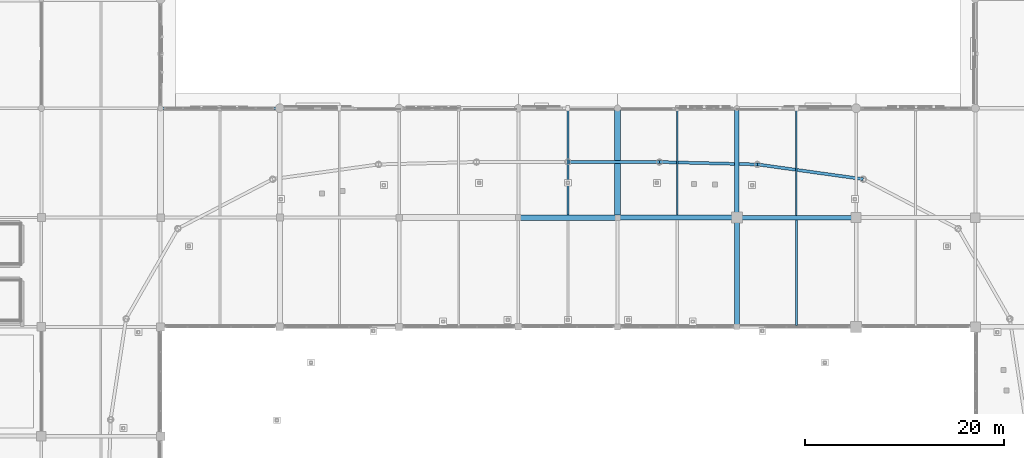
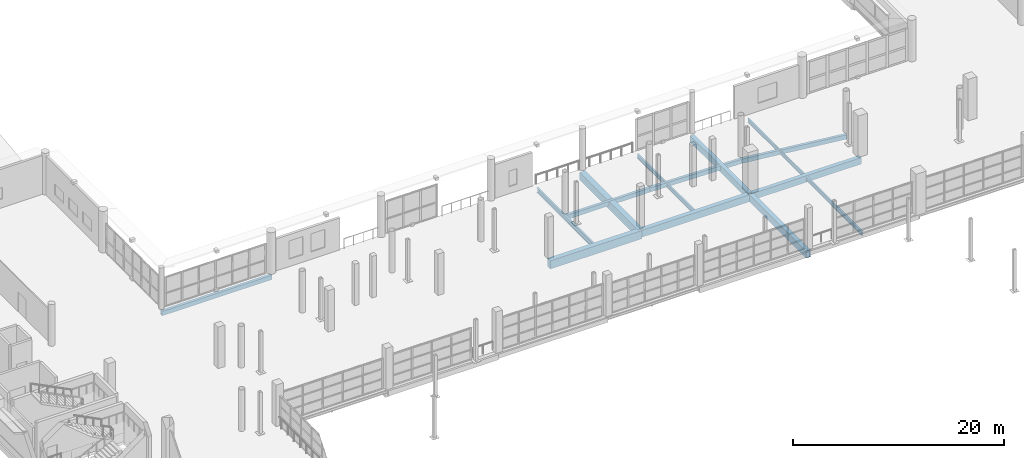
# One storey, part 51 of 143: 14 beams.
"""IFC4 building model written with IfcOpenShell, lengths in metres."""

from ifc_helpers import new_model, si_unit, direction, frame, origin, origin_2d, place, context, subcontext, project, spatial, rectangle, hollow_rectangle, i_section, extrude, material, material_profile, profile_set, type_object, element, save


model = new_model("IFC4")

# Units and contexts
model_context = context("Model", 3, precision=1e-05, world=origin(), true_north=direction((0.0, 1.0)))
body_context = subcontext(model_context, "Body", "Model", "MODEL_VIEW")
ifc_project = project(units=[si_unit("LENGTHUNIT", "METRE"), si_unit("AREAUNIT", "SQUARE_METRE"), si_unit("VOLUMEUNIT", "CUBIC_METRE"), si_unit("PLANEANGLEUNIT", "RADIAN"), si_unit("MASSUNIT", "GRAM", prefix="KILO")], contexts=[model_context])

# Site, building, storey
site_placement = place(None, origin())
site = spatial("IfcSite", under=ifc_project, at=site_placement, CompositionType="ELEMENT")
building_placement = place(site_placement, origin())
building = spatial("IfcBuilding", under=site, at=building_placement, Name="Luwafu Chhajja Arena", CompositionType="ELEMENT")
storey_placement = place(building_placement, frame((0.0, 0.0, 5.39990234375)))
storey = spatial("IfcBuildingStorey", under=building, at=storey_placement, Name="L01", CompositionType="ELEMENT", Elevation=5.39990234375)

# Beams
ifc_material_1 = material(Name="Concrete C35/45", Category="concrete")
ifc_material_profile_1 = material_profile(ifc_material_1, rectangle(XDim=0.60009765625, YDim=0.89990234375, at=origin_2d()), Name="RC 600x900")
ifc_profile_set_1 = profile_set([ifc_material_profile_1], Name="Concrete C35/45")
beam_type_1 = type_object("IfcBeamType", Name="Concourse Primary Girder RC 600x900", PredefinedType="BEAM", material=ifc_profile_set_1)
beam_1_placement = place(storey_placement, frame((104.0, 88.0, -0.77978515625), z_axis=(0.0, 1.0, 0.0), x_axis=(-1.0, 0.0, 0.0)))
element("IfcBeam", 1, at=beam_1_placement, inside=storey, type_object=beam_type_1, Name="L01 Grid Beam 10/J-K", PredefinedType="BEAM", context=body_context, shape_type="SweptSolid", body=[
    extrude(rectangle(XDim=0.60009765625, YDim=0.89990234375, at=origin_2d()), origin(), (0.0, 0.0, 1.0), 11.0),
])
ifc_material_profile_2 = material_profile(ifc_material_1, rectangle(XDim=0.550048828125, YDim=0.949951171875, at=origin_2d()), Name="RC 550x950")
ifc_profile_set_2 = profile_set([ifc_material_profile_2], Name="Concrete C35/45")
beam_type_2 = type_object("IfcBeamType", Name="Concourse Radial Girder RC 550x950", PredefinedType="BEAM", material=ifc_profile_set_2)
beam_2_placement = place(storey_placement, frame((94.0, 88.0, -0.804931640625), z_axis=(1.0, 0.0, 0.0), x_axis=(0.0, 1.0, 0.0)))
element("IfcBeam", 2, at=beam_2_placement, inside=storey, type_object=beam_type_2, Name="L01 Grid Beam 9-10/J", PredefinedType="BEAM", context=body_context, shape_type="SweptSolid", body=[
    extrude(rectangle(XDim=0.550048828125, YDim=0.949951171875, at=origin_2d()), origin(), (0.0, 0.0, 1.0), 10.0),
])
ifc_material_2 = material(Name="Steel S355", Category="steel")
ifc_material_profile_3 = material_profile(ifc_material_2, i_section(OverallWidth=0.15283203125, OverallDepth=0.45458984375, WebThickness=0.008056640625, FlangeThickness=0.01318359375, at=origin_2d()), Name="UB 457x152x60")
ifc_profile_set_3 = profile_set([ifc_material_profile_3], Name="Steel S355")
beam_type_3 = type_object("IfcBeamType", Name="Floor Joist UB 457x152x60", PredefinedType="JOIST", material=ifc_profile_set_3)
beam_3_placement = place(storey_placement, frame((122.0, 88.22509765625, -0.55712890625), z_axis=(0.0, 1.0, 0.0), x_axis=(-1.0, 0.0, 0.0)))
element("IfcBeam", 3, at=beam_3_placement, inside=storey, type_object=beam_type_3, Name="L01 Secondary Joist 11-12/J", PredefinedType="JOIST", context=body_context, shape_type="SweptSolid", body=[
    extrude(i_section(OverallWidth=0.15283203125, OverallDepth=0.45458984375, WebThickness=0.008056640625, FlangeThickness=0.01318359375, at=origin_2d()), origin(), (0.0, 0.0, 1.0), 10.574951171875),
])
ifc_material_profile_4 = material_profile(ifc_material_2, i_section(OverallWidth=0.19140625, OverallDepth=0.4599609375, WebThickness=0.010009765625, FlangeThickness=0.01611328125, at=origin_2d()), Name="UB 457x191x82")
ifc_profile_set_4 = profile_set([ifc_material_profile_4], Name="Steel S355")
beam_type_4 = type_object("IfcBeamType", Name="Floor Joist UB 457x191x82", PredefinedType="JOIST", material=ifc_profile_set_4)
beam_4_placement = place(storey_placement, frame((110.0, 88.25, -0.559814453125), z_axis=(0.0, 1.0, 0.0), x_axis=(-1.0, 0.0, 0.0)))
element("IfcBeam", 4, at=beam_4_placement, inside=storey, type_object=beam_type_4, Name="L01 Secondary Joist 10-11/J", PredefinedType="JOIST", context=body_context, shape_type="SweptSolid", body=[
    extrude(i_section(OverallWidth=0.19140625, OverallDepth=0.4599609375, WebThickness=0.010009765625, FlangeThickness=0.01611328125, at=origin_2d()), origin(), (0.0, 0.0, 1.0), 10.667236328125),
])
beam_5_placement = place(storey_placement, frame((122.0, 77.14990234375, -0.559814453125), z_axis=(0.0, 1.0, 0.0), x_axis=(-1.0, 0.0, 0.0)))
element("IfcBeam", 5, at=beam_5_placement, inside=storey, type_object=beam_type_4, Name="L01 Secondary Joist 11-12/H", PredefinedType="JOIST", context=body_context, shape_type="SweptSolid", body=[
    extrude(i_section(OverallWidth=0.19140625, OverallDepth=0.4599609375, WebThickness=0.010009765625, FlangeThickness=0.01611328125, at=origin_2d()), origin(), (0.0, 0.0, 1.0), 10.625),
])
ifc_material_profile_5 = material_profile(ifc_material_2, i_section(OverallWidth=0.209228515625, OverallDepth=0.533203125, WebThickness=0.010009765625, FlangeThickness=0.015625, at=origin_2d()), Name="UB 533x210x92")
ifc_profile_set_5 = profile_set([ifc_material_profile_5], Name="Steel S355")
beam_type_5 = type_object("IfcBeamType", Name="Floor Joist UB 533x210x92", PredefinedType="JOIST", material=ifc_profile_set_5)
beam_6_placement = place(storey_placement, frame((99.0, 88.27490234375, -0.596435546875), z_axis=(0.0, 1.0, 0.0), x_axis=(-1.0, 0.0, 0.0)))
element("IfcBeam", 6, at=beam_6_placement, inside=storey, type_object=beam_type_5, Name="L01 Secondary Joist 9-10/J", PredefinedType="JOIST", context=body_context, shape_type="SweptSolid", body=[
    extrude(i_section(OverallWidth=0.209228515625, OverallDepth=0.533203125, WebThickness=0.010009765625, FlangeThickness=0.015625, at=origin_2d()), origin(), (0.0, 0.0, 1.0), 10.5751953125),
])
ifc_material_profile_6 = material_profile(ifc_material_1, rectangle(XDim=0.5, YDim=0.800048828125, at=origin_2d()), Name="RC 500x800")
ifc_profile_set_6 = profile_set([ifc_material_profile_6], Name="Concrete C35/45")
beam_type_6 = type_object("IfcBeamType", Name="Hospitality Primary Beam RC 500x800", PredefinedType="BEAM", material=ifc_profile_set_6)
beam_7_placement = place(storey_placement, frame((104.0, 88.0, -0.72998046875), z_axis=(1.0, 0.0, 0.0), x_axis=(0.0, 1.0, 0.0)))
element("IfcBeam", 7, at=beam_7_placement, inside=storey, type_object=beam_type_6, Name="L01 Grid Beam 10-11/J", PredefinedType="BEAM", context=body_context, shape_type="SweptSolid", body=[
    extrude(rectangle(XDim=0.5, YDim=0.800048828125, at=origin_2d()), origin(), (0.0, 0.0, 1.0), 12.0),
])
beam_8_placement = place(storey_placement, frame((116.0, 77.0, -0.72998046875), z_axis=(0.0, 1.0, 0.0), x_axis=(-1.0, 0.0, 0.0)))
element("IfcBeam", 8, at=beam_8_placement, inside=storey, type_object=beam_type_6, Name="L01 Grid Beam 11/H-J", PredefinedType="BEAM", context=body_context, shape_type="SweptSolid", body=[
    extrude(rectangle(XDim=0.5, YDim=0.800048828125, at=origin_2d()), origin(), (0.0, 0.0, 1.0), 11.0),
])
ifc_material_profile_7 = material_profile(ifc_material_2, hollow_rectangle(XDim=0.300048828125, YDim=0.5, WallThickness=0.02001953125, at=origin_2d()), Name="RHS 500x300x20")
ifc_profile_set_7 = profile_set([ifc_material_profile_7], Name="Steel S355")
beam_type_7 = type_object("IfcBeamType", Name="Pleated Drum Spandrel Beam RHS 500x300", PredefinedType="SPANDREL", material=ifc_profile_set_7)
beam_9_placement = place(storey_placement, frame((58.0, 99.0, -0.579833984375), z_axis=(1.0, 0.0, 0.0), x_axis=(0.0, 1.0, 0.0)))
element("IfcBeam", 9, at=beam_9_placement, inside=storey, type_object=beam_type_7, Name="L01 Grid Beam 6-7/K", PredefinedType="SPANDREL", context=body_context, shape_type="SweptSolid", body=[
    extrude(hollow_rectangle(XDim=0.300048828125, YDim=0.5, WallThickness=0.02001953125, at=origin_2d()), origin(), (0.0, 0.0, 1.0), 12.0),
])
beam_10_placement = place(storey_placement, frame((128.718017578125, 91.86279296875, -0.579833984375), z_axis=(-0.990458730054, 0.137809666058, 0.0), x_axis=(-0.137809666058, -0.990458730054, 0.0)))
element("IfcBeam", 10, at=beam_10_placement, inside=storey, type_object=beam_type_7, Name="L01 Drum Ring Spandrel D06-D07", PredefinedType="SPANDREL", context=body_context, shape_type="SweptSolid", body=[
    extrude(hollow_rectangle(XDim=0.300048828125, YDim=0.5, WallThickness=0.02001953125, at=origin_2d()), origin(), (0.0, 0.0, 1.0), 10.75341796875),
])
beam_11_placement = place(storey_placement, frame((118.067138671875, 93.3447265625, -0.579833984375), z_axis=(-0.999695420837, 0.024679253567, 0.0), x_axis=(-0.024679253567, -0.999695420837, 0.0)))
element("IfcBeam", 11, at=beam_11_placement, inside=storey, type_object=beam_type_7, Name="L01 Drum Ring Spandrel D07-D08", PredefinedType="SPANDREL", context=body_context, shape_type="SweptSolid", body=[
    extrude(hollow_rectangle(XDim=0.300048828125, YDim=0.5, WallThickness=0.02001953125, at=origin_2d()), origin(), (0.0, 0.0, 1.0), 9.86279296875),
])
beam_12_placement = place(storey_placement, frame((108.207275390625, 93.588134765625, -0.579833984375), z_axis=(-0.999999155928, 0.001299285621, 0.0), x_axis=(-0.001299285621, -0.999999155928, 0.0)))
element("IfcBeam", 12, at=beam_12_placement, inside=storey, type_object=beam_type_7, Name="L01 Drum Ring Spandrel D08-D09", PredefinedType="SPANDREL", context=body_context, shape_type="SweptSolid", body=[
    extrude(hollow_rectangle(XDim=0.300048828125, YDim=0.5, WallThickness=0.02001953125, at=origin_2d()), origin(), (0.0, 0.0, 1.0), 9.207275390625),
])
ifc_material_profile_8 = material_profile(ifc_material_1, rectangle(XDim=0.449951171875, YDim=0.75, at=origin_2d()), Name="RC 450x750")
ifc_profile_set_8 = profile_set([ifc_material_profile_8], Name="Concrete C35/45")
beam_type_8 = type_object("IfcBeamType", Name="Wing Primary Beam RC 450x750", PredefinedType="BEAM", material=ifc_profile_set_8)
beam_13_placement = place(storey_placement, frame((116.0, 88.0, -0.704833984375), z_axis=(1.0, 0.0, 0.0), x_axis=(0.0, 1.0, 0.0)))
element("IfcBeam", 13, at=beam_13_placement, inside=storey, type_object=beam_type_8, Name="L01 Grid Beam 11-12/J", PredefinedType="BEAM", context=body_context, shape_type="SweptSolid", body=[
    extrude(rectangle(XDim=0.449951171875, YDim=0.75, at=origin_2d()), origin(), (0.0, 0.0, 1.0), 12.0),
])
beam_14_placement = place(storey_placement, frame((116.0, 88.0, -0.704833984375), z_axis=(0.0, 1.0, 0.0), x_axis=(-1.0, 0.0, 0.0)))
element("IfcBeam", 14, at=beam_14_placement, inside=storey, type_object=beam_type_8, Name="L01 Grid Beam 11/J-K", PredefinedType="BEAM", context=body_context, shape_type="SweptSolid", body=[
    extrude(rectangle(XDim=0.449951171875, YDim=0.75, at=origin_2d()), origin(), (0.0, 0.0, 1.0), 11.0),
])

save(model, "model.ifc")
